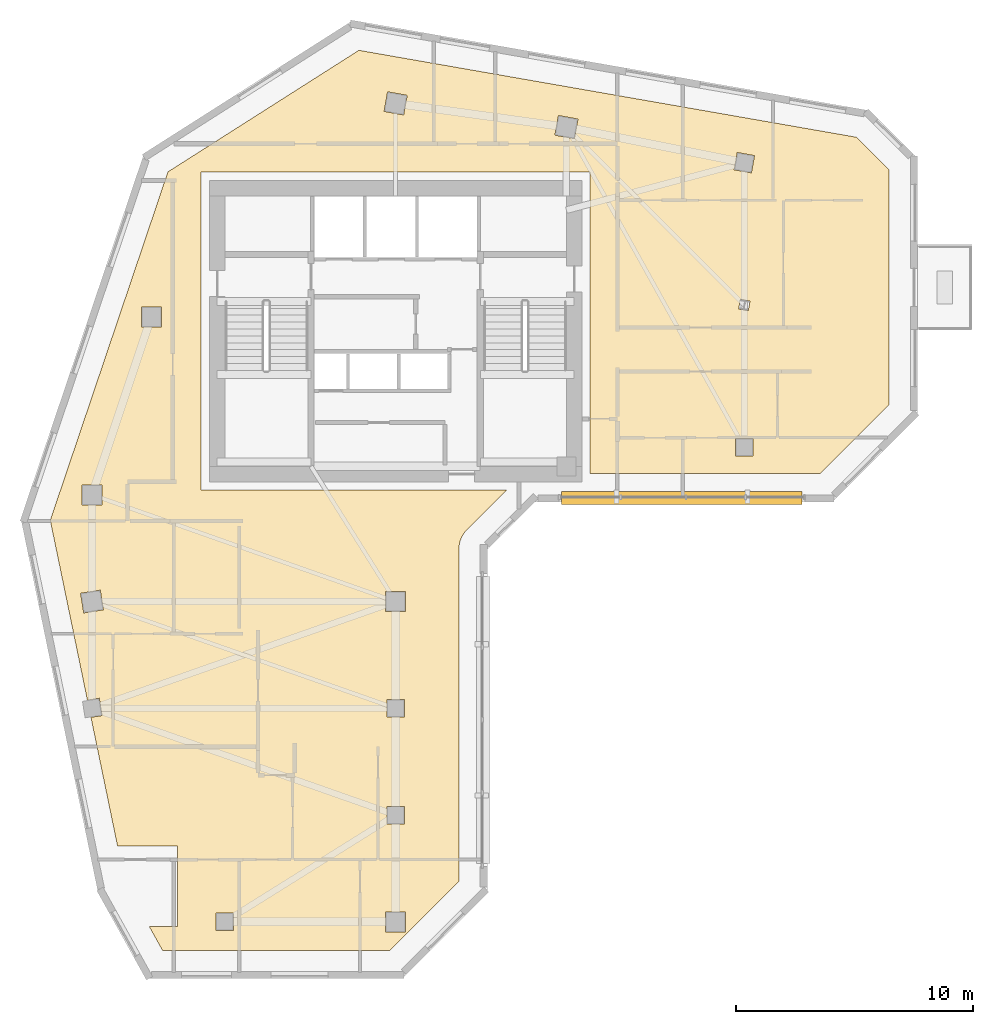
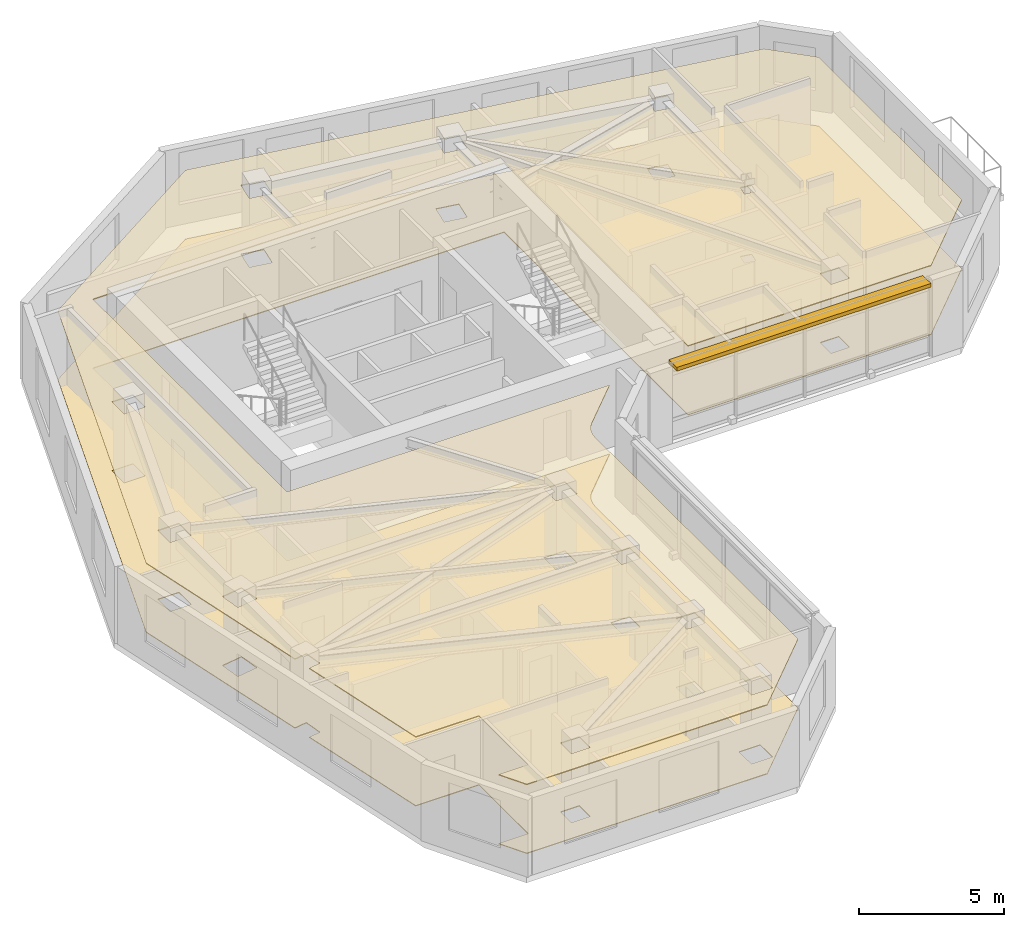
# One storey, part 9 of 10: 2 coverings, 1 shading device.
"""IFC4 building model written with IfcOpenShell, lengths in metres."""

from ifc_helpers import new_model, si_unit, direction, frame, frame_2d, origin, place, context, subcontext, project, spatial, polyline, rectangle, outline, extrude, material, layer, layer_set, type_object, element, save


model = new_model("IFC4")

# Units and contexts
model_context = context("Model", 3, precision=1e-05, world=origin(), true_north=direction((0.0, 1.0)))
body_context = subcontext(model_context, "Body", "Model", "MODEL_VIEW")
ifc_project = project(units=[si_unit("LENGTHUNIT", "METRE"), si_unit("AREAUNIT", "SQUARE_METRE"), si_unit("VOLUMEUNIT", "CUBIC_METRE"), si_unit("PLANEANGLEUNIT", "RADIAN"), si_unit("MASSUNIT", "GRAM", prefix="KILO")], contexts=[model_context])

# Site, building, storey
site_placement = place(None, origin())
site = spatial("IfcSite", under=ifc_project, at=site_placement, CompositionType="ELEMENT")
building_placement = place(site_placement, origin())
building = spatial("IfcBuilding", under=site, at=building_placement, Name="Calvemar Wedge Station Tower", CompositionType="ELEMENT")
storey_placement = place(building_placement, frame((0.0, 0.0, 214.89990234375)))
storey = spatial("IfcBuildingStorey", under=building, at=storey_placement, Name="L54", CompositionType="ELEMENT", Elevation=214.89990234375)

# Coverings
ifc_material_1 = material(Name="Moisture-resistant gypsum ceiling")
ifc_layer_1 = layer(ifc_material_1, 0.0400390625)
ifc_layer_set_1 = layer_set([ifc_layer_1], Name="Moisture-resistant gypsum ceiling")
covering_type_1 = type_object("IfcCoveringType", Name="COV-CEIL-GYPSUM", PredefinedType="CEILING", material=ifc_layer_set_1)
covering_1_placement = place(storey_placement, frame((0.0, 0.0, 2.900146484375)))
element("IfcCovering", 1, at=covering_1_placement, inside=storey, type_object=covering_type_1, Name="Storey L54 Acoustic Suspended Ceiling", PredefinedType="CEILING", context=body_context, shape_type="SweptSolid", body=[
    extrude(outline(polyline([(26.666259765625, 31.358642578125), (26.736328125, 31.453369140625), (26.8154296875, 31.54052734375), (28.474853515625, 33.199951171875), (15.60009765625, 33.199951171875), (15.60009765625, 46.60009765625), (32.0, 46.60009765625), (32.0, 33.89208984375), (41.702880859375, 33.89208984375), (44.60009765625, 36.7890625), (44.60009765625, 46.69482421875), (43.2197265625, 48.0751953125), (22.251708984375, 51.73779296875), (14.201416015625, 46.614990234375), (9.240966796875, 31.92431640625), (10.806884765625, 24.34375), (11.306884765625, 24.423828125), (11.423828125, 23.693115234375), (10.956787109375, 23.618408203125), (12.076171875, 18.199951171875), (14.60009765625, 18.199951171875), (14.60009765625, 14.800048828125), (13.41455078125, 14.800048828125), (13.97021484375, 13.800048828125), (23.56689453125, 13.800048828125), (26.464111328125, 16.697021484375), (26.464111328125, 30.69189453125), (26.4697265625, 30.8095703125), (26.487060546875, 30.926025390625), (26.515625, 31.040283203125), (26.555419921875, 31.151123046875), (26.605712890625, 31.2578125), (26.666259765625, 31.358642578125)]), holes=[polyline([(11.419921875, 33.419921875), (11.419921875, 32.580078125), (10.580078125, 32.580078125), (10.580078125, 33.419921875), (11.419921875, 33.419921875)]), polyline([(13.919921875, 40.080078125), (13.080078125, 40.080078125), (13.080078125, 40.919921875), (13.919921875, 40.919921875), (13.919921875, 40.080078125)]), polyline([(23.312255859375, 49.160888671875), (23.4609375, 49.98779296875), (24.28759765625, 49.839111328125), (24.138916015625, 49.01220703125), (23.312255859375, 49.160888671875)]), polyline([(30.660888671875, 48.98779296875), (31.48779296875, 48.839111328125), (31.339111328125, 48.01220703125), (30.51220703125, 48.160888671875), (30.660888671875, 48.98779296875)]), polyline([(38.9296875, 47.298583984375), (38.798583984375, 46.5703125), (38.0703125, 46.701416015625), (38.201416015625, 47.4296875), (38.9296875, 47.298583984375)]), polyline([(38.8701171875, 34.6298828125), (38.1298828125, 34.6298828125), (38.1298828125, 35.3701171875), (38.8701171875, 35.3701171875), (38.8701171875, 34.6298828125)]), polyline([(38.259765625, 40.833984375), (38.332763671875, 41.239501953125), (38.740234375, 41.166015625), (38.667236328125, 40.760498046875), (38.259765625, 40.833984375)]), polyline([(11.348388671875, 28.981201171875), (11.481201171875, 28.151611328125), (10.651611328125, 28.018798828125), (10.518798828125, 28.848388671875), (11.348388671875, 28.981201171875)]), polyline([(24.219970703125, 28.080078125), (23.3798828125, 28.080078125), (23.3798828125, 28.919921875), (24.219970703125, 28.919921875), (24.219970703125, 28.080078125)]), polyline([(23.429931640625, 23.6298828125), (23.429931640625, 24.3701171875), (24.169921875, 24.3701171875), (24.169921875, 23.6298828125), (23.429931640625, 23.6298828125)]), polyline([(23.429931640625, 19.8701171875), (24.169921875, 19.8701171875), (24.169921875, 19.1298828125), (23.429931640625, 19.1298828125), (23.429931640625, 19.8701171875)]), polyline([(24.219970703125, 15.419921875), (24.219970703125, 14.580078125), (23.3798828125, 14.580078125), (23.3798828125, 15.419921875), (24.219970703125, 15.419921875)]), polyline([(16.969970703125, 14.6298828125), (16.22998046875, 14.6298828125), (16.22998046875, 15.3701171875), (16.969970703125, 15.3701171875), (16.969970703125, 14.6298828125)])]), origin(), (0.0, 0.0, 1.0), 0.0400390625),
])
ifc_material_2 = material(Name="Honed coastal granite stone tile", Category="masonry")
ifc_layer_2 = layer(ifc_material_2, 0.030029296875)
ifc_layer_set_2 = layer_set([ifc_layer_2], Name="Honed coastal granite stone tile")
covering_type_2 = type_object("IfcCoveringType", Name="COV-FLR-STONE", PredefinedType="FLOORING", material=ifc_layer_set_2)
covering_2_placement = place(storey_placement, origin())
element("IfcCovering", 2, at=covering_2_placement, inside=storey, type_object=covering_type_2, Name="Storey L54 Architectural Floor Finish", PredefinedType="FLOORING", context=body_context, shape_type="SweptSolid", body=[
    extrude(outline(polyline([(26.666259765625, 31.358642578125), (26.736328125, 31.453369140625), (26.8154296875, 31.54052734375), (28.474853515625, 33.199951171875), (15.60009765625, 33.199951171875), (15.60009765625, 46.60009765625), (32.0, 46.60009765625), (32.0, 33.89208984375), (41.702880859375, 33.89208984375), (44.60009765625, 36.7890625), (44.60009765625, 46.69482421875), (43.2197265625, 48.0751953125), (22.251708984375, 51.73779296875), (14.201416015625, 46.614990234375), (9.240966796875, 31.92431640625), (10.806884765625, 24.34375), (11.306884765625, 24.423828125), (11.423828125, 23.693115234375), (10.956787109375, 23.618408203125), (12.076171875, 18.199951171875), (14.60009765625, 18.199951171875), (14.60009765625, 14.800048828125), (13.41455078125, 14.800048828125), (13.97021484375, 13.800048828125), (23.56689453125, 13.800048828125), (26.464111328125, 16.697021484375), (26.464111328125, 30.69189453125), (26.4697265625, 30.8095703125), (26.487060546875, 30.926025390625), (26.515625, 31.040283203125), (26.555419921875, 31.151123046875), (26.605712890625, 31.2578125), (26.666259765625, 31.358642578125)]), holes=[polyline([(11.419921875, 33.419921875), (11.419921875, 32.580078125), (10.580078125, 32.580078125), (10.580078125, 33.419921875), (11.419921875, 33.419921875)]), polyline([(13.919921875, 40.080078125), (13.080078125, 40.080078125), (13.080078125, 40.919921875), (13.919921875, 40.919921875), (13.919921875, 40.080078125)]), polyline([(23.312255859375, 49.160888671875), (23.4609375, 49.98779296875), (24.28759765625, 49.839111328125), (24.138916015625, 49.01220703125), (23.312255859375, 49.160888671875)]), polyline([(30.660888671875, 48.98779296875), (31.48779296875, 48.839111328125), (31.339111328125, 48.01220703125), (30.51220703125, 48.160888671875), (30.660888671875, 48.98779296875)]), polyline([(38.9296875, 47.298583984375), (38.798583984375, 46.5703125), (38.0703125, 46.701416015625), (38.201416015625, 47.4296875), (38.9296875, 47.298583984375)]), polyline([(38.8701171875, 34.6298828125), (38.1298828125, 34.6298828125), (38.1298828125, 35.3701171875), (38.8701171875, 35.3701171875), (38.8701171875, 34.6298828125)]), polyline([(38.259765625, 40.833984375), (38.332763671875, 41.239501953125), (38.740234375, 41.166015625), (38.667236328125, 40.760498046875), (38.259765625, 40.833984375)]), polyline([(11.348388671875, 28.981201171875), (11.481201171875, 28.151611328125), (10.651611328125, 28.018798828125), (10.518798828125, 28.848388671875), (11.348388671875, 28.981201171875)]), polyline([(24.219970703125, 28.080078125), (23.3798828125, 28.080078125), (23.3798828125, 28.919921875), (24.219970703125, 28.919921875), (24.219970703125, 28.080078125)]), polyline([(23.429931640625, 23.6298828125), (23.429931640625, 24.3701171875), (24.169921875, 24.3701171875), (24.169921875, 23.6298828125), (23.429931640625, 23.6298828125)]), polyline([(23.429931640625, 19.8701171875), (24.169921875, 19.8701171875), (24.169921875, 19.1298828125), (23.429931640625, 19.1298828125), (23.429931640625, 19.8701171875)]), polyline([(24.219970703125, 15.419921875), (24.219970703125, 14.580078125), (23.3798828125, 14.580078125), (23.3798828125, 15.419921875), (24.219970703125, 15.419921875)]), polyline([(16.969970703125, 14.6298828125), (16.22998046875, 14.6298828125), (16.22998046875, 15.3701171875), (16.969970703125, 15.3701171875), (16.969970703125, 14.6298828125)])]), origin(), (0.0, 0.0, 1.0), 0.030029296875),
])

# Shading device
ifc_material_3 = material(Name="Precast concrete C45", Category="concrete")
shading_device_type = type_object("IfcShadingDeviceType", Name="SHD-EYEBROW-1", PredefinedType="SHUTTER", material=ifc_material_3)
shading_device_placement = place(storey_placement, frame((30.802001953125, 32.862060546875, 3.070068359375), z_axis=(0.0, 0.0, 1.0), x_axis=(1.0, 0.0, 0.0)))
element("IfcShadingDevice", 3, at=shading_device_placement, inside=storey, type_object=shading_device_type, Name="Storey L54 Bronze GFRC Solar Eyebrow 6", PredefinedType="SHUTTER", context=body_context, shape_type="SweptSolid", body=[
    extrude(rectangle(XDim=10.135986328125, YDim=0.550048828125, at=frame_2d((5.06787109375, 0.0))), origin(), (0.0, 0.0, 1.0), 0.159912109375),
])

save(model, "model.ifc")
